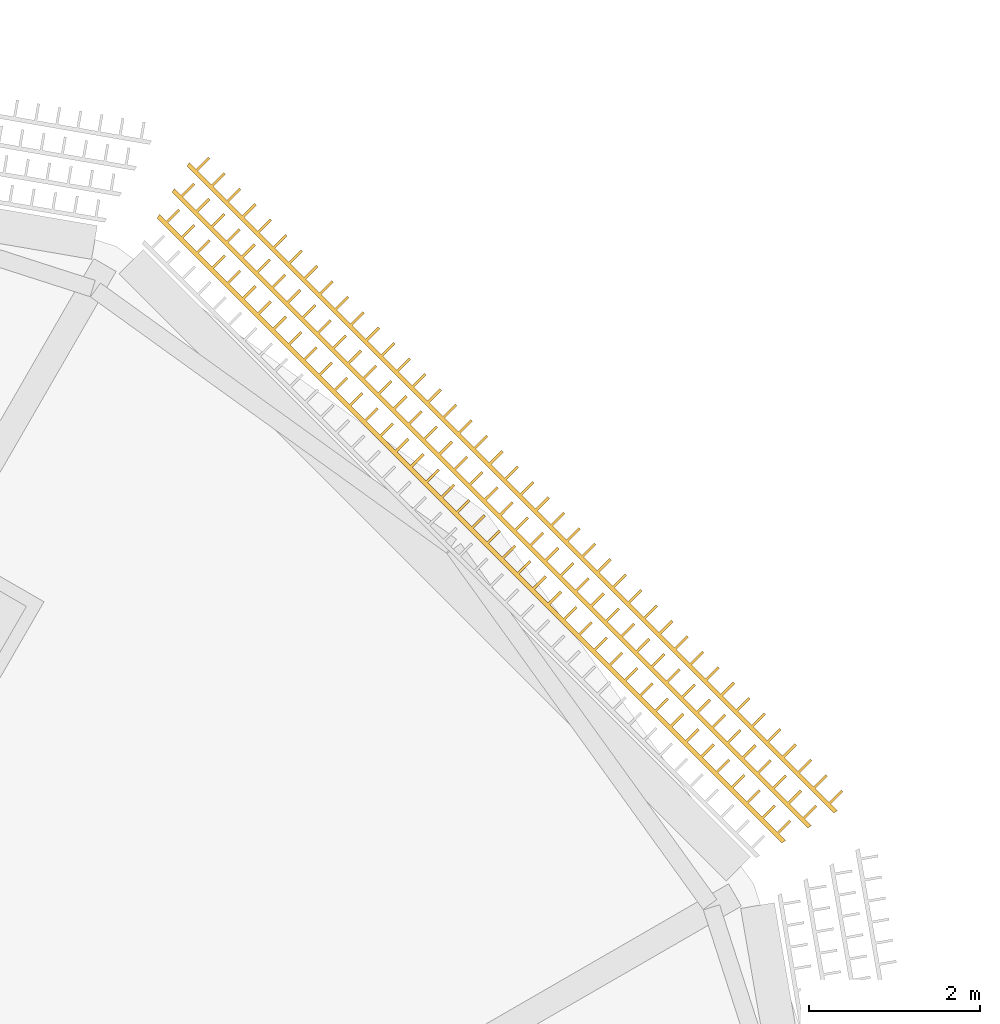
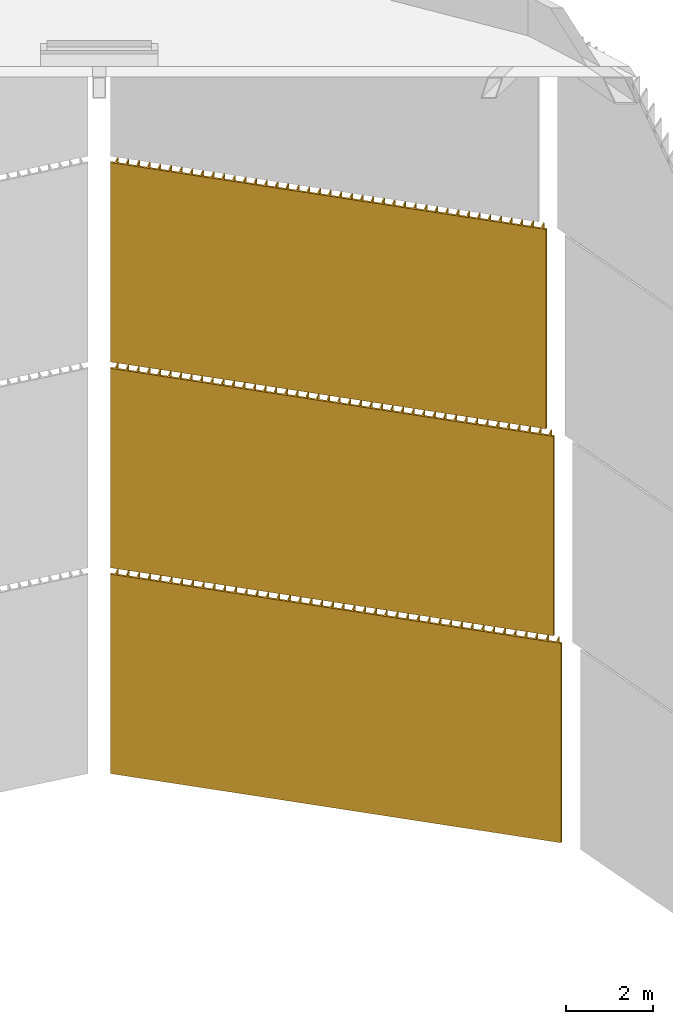
# One storey, part 22 of 24: 3 coverings.
"""IFC4 building model written with IfcOpenShell, lengths in metres."""

from ifc_helpers import new_model, si_unit, direction, frame, origin, place, context, subcontext, project, spatial, polyline, outline, extrude, material, type_object, element, save


model = new_model("IFC4")

# Units and contexts
model_context = context("Model", 3, precision=1e-05, world=origin(), true_north=direction((0.0, 1.0)))
body_context = subcontext(model_context, "Body", "Model", "MODEL_VIEW")
ifc_project = project(units=[si_unit("LENGTHUNIT", "METRE"), si_unit("AREAUNIT", "SQUARE_METRE"), si_unit("VOLUMEUNIT", "CUBIC_METRE"), si_unit("PLANEANGLEUNIT", "RADIAN"), si_unit("MASSUNIT", "GRAM", prefix="KILO")], contexts=[model_context])

# Site, building, storey
site_placement = place(None, origin())
site = spatial("IfcSite", under=ifc_project, at=site_placement, CompositionType="ELEMENT")
building_placement = place(site_placement, origin())
building = spatial("IfcBuilding", under=site, at=building_placement, Name="Rimbun Link Towers", CompositionType="ELEMENT")
storey_placement = place(building_placement, frame((0.0, 0.0, 294.89990234375)))
storey = spatial("IfcBuildingStorey", under=building, at=storey_placement, Name="Roof cap", CompositionType="ELEMENT", Elevation=294.89990234375)

# Coverings
ifc_material = material(Name="Terracotta", Category="masonry")
covering_type = type_object("IfcCoveringType", Name="TERRACOTTA CLADDING screen fins", PredefinedType="CLADDING", material=ifc_material)
covering_1_placement = place(storey_placement, frame((0.0, 0.0, -23.087890625)))
element("IfcCovering", 1, at=covering_1_placement, inside=storey, type_object=covering_type, Name="TERRACOTTA CLADDING screen", PredefinedType="CLADDING", context=body_context, shape_type="SweptSolid", body=[
    extrude(outline(polyline([(50.36865234375, 11.042724609375), (50.2890625, 11.122314453125), (50.430419921875, 11.263916015625), (50.4091796875, 11.284912109375), (50.267822265625, 11.1435546875), (50.108642578125, 11.302734375), (50.25, 11.444091796875), (50.228759765625, 11.46533203125), (50.08740234375, 11.323974609375), (49.92822265625, 11.483154296875), (50.069580078125, 11.62451171875), (50.048583984375, 11.645751953125), (49.906982421875, 11.50439453125), (49.747802734375, 11.66357421875), (49.889404296875, 11.804931640625), (49.8681640625, 11.826171875), (49.726806640625, 11.684814453125), (49.5673828125, 11.84375), (49.708984375, 11.9853515625), (49.687744140625, 12.006591796875), (49.54638671875, 11.864990234375), (49.38720703125, 12.024169921875), (49.528564453125, 12.16552734375), (49.50732421875, 12.18701171875), (49.365966796875, 12.04541015625), (49.206787109375, 12.20458984375), (49.34814453125, 12.345947265625), (49.326904296875, 12.3671875), (49.185546875, 12.225830078125), (49.0263671875, 12.385009765625), (49.167724609375, 12.5263671875), (49.146484375, 12.547607421875), (49.005126953125, 12.40625), (48.845947265625, 12.565185546875), (48.9873046875, 12.706787109375), (48.96630859375, 12.72802734375), (48.82470703125, 12.586669921875), (48.66552734375, 12.74560546875), (48.806884765625, 12.88720703125), (48.785888671875, 12.908447265625), (48.644287109375, 12.766845703125), (48.485107421875, 12.926025390625), (48.626708984375, 13.0673828125), (48.60546875, 13.088623046875), (48.464111328125, 12.947265625), (48.304931640625, 13.1064453125), (48.4462890625, 13.247802734375), (48.425048828125, 13.26904296875), (48.28369140625, 13.127685546875), (48.12451171875, 13.286865234375), (48.265869140625, 13.42822265625), (48.24462890625, 13.449462890625), (48.103271484375, 13.30810546875), (47.944091796875, 13.46728515625), (48.08544921875, 13.608642578125), (48.064208984375, 13.6298828125), (47.9228515625, 13.48828125), (47.763671875, 13.647705078125), (47.905029296875, 13.7890625), (47.8837890625, 13.810302734375), (47.742431640625, 13.668701171875), (47.583251953125, 13.827880859375), (47.724853515625, 13.969482421875), (47.70361328125, 13.990478515625), (47.56201171875, 13.84912109375), (47.403076171875, 14.00830078125), (47.54443359375, 14.14990234375), (47.523193359375, 14.1708984375), (47.3818359375, 14.029541015625), (47.22265625, 14.188720703125), (47.364013671875, 14.330078125), (47.3427734375, 14.351318359375), (47.201416015625, 14.2099609375), (47.042236328125, 14.369140625), (47.18359375, 14.510498046875), (47.162353515625, 14.53173828125), (47.02099609375, 14.390380859375), (46.86181640625, 14.549560546875), (47.00341796875, 14.69091796875), (46.98193359375, 14.712158203125), (46.840576171875, 14.57080078125), (46.681396484375, 14.72998046875), (46.822998046875, 14.871337890625), (46.8017578125, 14.892578125), (46.66015625, 14.751220703125), (46.501220703125, 14.91015625), (46.642578125, 15.0517578125), (46.621337890625, 15.072998046875), (46.47998046875, 14.931396484375), (46.32080078125, 15.090576171875), (46.462158203125, 15.23193359375), (46.44091796875, 15.25341796875), (46.299560546875, 15.11181640625), (46.140380859375, 15.27099609375), (46.28173828125, 15.412353515625), (46.260498046875, 15.43359375), (46.119140625, 15.292236328125), (45.9599609375, 15.451416015625), (46.101318359375, 15.5927734375), (46.080078125, 15.614013671875), (45.938720703125, 15.47265625), (45.779541015625, 15.6318359375), (45.9208984375, 15.773193359375), (45.89990234375, 15.79443359375), (45.75830078125, 15.653076171875), (45.59912109375, 15.81201171875), (45.740478515625, 15.95361328125), (45.719482421875, 15.974853515625), (45.577880859375, 15.833251953125), (45.418701171875, 15.992431640625), (45.560302734375, 16.1337890625), (45.5390625, 16.155029296875), (45.397705078125, 16.013671875), (45.23828125, 16.1728515625), (45.3798828125, 16.314208984375), (45.358642578125, 16.33544921875), (45.21728515625, 16.194091796875), (45.05810546875, 16.353271484375), (45.199462890625, 16.49462890625), (45.17822265625, 16.515869140625), (45.036865234375, 16.37451171875), (44.877685546875, 16.53369140625), (45.01904296875, 16.675048828125), (44.997802734375, 16.6962890625), (44.8564453125, 16.554931640625), (44.697265625, 16.714111328125), (44.838623046875, 16.85546875), (44.8173828125, 16.876708984375), (44.676025390625, 16.735107421875), (44.516845703125, 16.894287109375), (44.658447265625, 17.035888671875), (44.63720703125, 17.056884765625), (44.49560546875, 16.91552734375), (44.336669921875, 17.07470703125), (44.47802734375, 17.21630859375), (44.456787109375, 17.2373046875), (44.315185546875, 17.095947265625), (44.15625, 17.255126953125), (44.297607421875, 17.396484375), (44.2763671875, 17.417724609375), (44.135009765625, 17.2763671875), (43.975830078125, 17.435546875), (44.1171875, 17.576904296875), (44.095947265625, 17.59814453125), (43.95458984375, 17.456787109375), (43.79541015625, 17.615966796875), (43.93701171875, 17.75732421875), (43.91552734375, 17.778564453125), (43.774169921875, 17.63720703125), (43.614990234375, 17.79638671875), (43.756591796875, 17.937744140625), (43.7353515625, 17.958984375), (43.59375, 17.8173828125), (43.434814453125, 17.976806640625), (43.576171875, 18.1181640625), (43.554931640625, 18.139404296875), (43.41357421875, 17.997802734375), (43.25439453125, 18.156982421875), (43.395751953125, 18.298583984375), (43.37451171875, 18.319580078125), (43.233154296875, 18.17822265625), (43.073974609375, 18.33740234375), (43.21533203125, 18.478759765625), (43.194091796875, 18.5), (43.052734375, 18.358642578125), (42.8935546875, 18.517822265625), (43.034912109375, 18.6591796875), (43.013916015625, 18.680419921875), (42.872314453125, 18.5390625), (42.792724609375, 18.61865234375), (42.766845703125, 18.57373046875), (50.32373046875, 11.016845703125), (50.36865234375, 11.042724609375)])), origin(), (0.0, 0.0, 1.0), 5.575927734375),
])
covering_2_placement = place(storey_placement, frame((0.0, 0.0, -17.087890625)))
element("IfcCovering", 2, at=covering_2_placement, inside=storey, type_object=covering_type, Name="TERRACOTTA CLADDING screen", PredefinedType="CLADDING", context=body_context, shape_type="SweptSolid", body=[
    extrude(outline(polyline([(50.0654296875, 10.867919921875), (49.9873046875, 10.94580078125), (50.12890625, 11.087158203125), (50.107666015625, 11.1083984375), (49.96630859375, 10.967041015625), (49.81005859375, 11.123046875), (49.951416015625, 11.2646484375), (49.930419921875, 11.285888671875), (49.788818359375, 11.144287109375), (49.6328125, 11.300537109375), (49.774169921875, 11.44189453125), (49.7529296875, 11.463134765625), (49.611572265625, 11.32177734375), (49.455322265625, 11.477783203125), (49.596923828125, 11.619140625), (49.57568359375, 11.640380859375), (49.43408203125, 11.4990234375), (49.278076171875, 11.655029296875), (49.41943359375, 11.79638671875), (49.398193359375, 11.81787109375), (49.2568359375, 11.67626953125), (49.100830078125, 11.83251953125), (49.2421875, 11.973876953125), (49.220947265625, 11.9951171875), (49.07958984375, 11.853759765625), (48.923583984375, 12.009765625), (49.06494140625, 12.151123046875), (49.043701171875, 12.17236328125), (48.902099609375, 12.031005859375), (48.74609375, 12.18701171875), (48.8876953125, 12.32861328125), (48.8662109375, 12.349609375), (48.724853515625, 12.208251953125), (48.56884765625, 12.364501953125), (48.710205078125, 12.505859375), (48.68896484375, 12.527099609375), (48.547607421875, 12.385498046875), (48.3916015625, 12.541748046875), (48.532958984375, 12.68310546875), (48.51171875, 12.704345703125), (48.370361328125, 12.56298828125), (48.214111328125, 12.718994140625), (48.355712890625, 12.860595703125), (48.33447265625, 12.881591796875), (48.19287109375, 12.740234375), (48.036865234375, 12.896484375), (48.17822265625, 13.037841796875), (48.156982421875, 13.05908203125), (48.015625, 12.91748046875), (47.859619140625, 13.07373046875), (48.0009765625, 13.215087890625), (47.979736328125, 13.236328125), (47.83837890625, 13.094970703125), (47.68212890625, 13.251220703125), (47.823486328125, 13.392578125), (47.802490234375, 13.413818359375), (47.660888671875, 13.272216796875), (47.5048828125, 13.428466796875), (47.646240234375, 13.56982421875), (47.625, 13.591064453125), (47.483642578125, 13.44970703125), (47.327392578125, 13.605712890625), (47.468994140625, 13.7470703125), (47.44775390625, 13.768310546875), (47.306396484375, 13.626953125), (47.150146484375, 13.782958984375), (47.29150390625, 13.924560546875), (47.2705078125, 13.94580078125), (47.12890625, 13.80419921875), (46.972900390625, 13.96044921875), (47.1142578125, 14.101806640625), (47.093017578125, 14.123046875), (46.95166015625, 13.981689453125), (46.79541015625, 14.1376953125), (46.93701171875, 14.279052734375), (46.915771484375, 14.30029296875), (46.7744140625, 14.158935546875), (46.6181640625, 14.31494140625), (46.759521484375, 14.456298828125), (46.73828125, 14.477783203125), (46.596923828125, 14.336181640625), (46.44091796875, 14.4921875), (46.582275390625, 14.6337890625), (46.56103515625, 14.655029296875), (46.419677734375, 14.513671875), (46.263671875, 14.669677734375), (46.405029296875, 14.81103515625), (46.3837890625, 14.832275390625), (46.2421875, 14.69091796875), (46.086181640625, 14.846923828125), (46.227783203125, 14.98828125), (46.206298828125, 15.009521484375), (46.06494140625, 14.8681640625), (45.908935546875, 15.0244140625), (46.05029296875, 15.165771484375), (46.029052734375, 15.18701171875), (45.8876953125, 15.04541015625), (45.731689453125, 15.20166015625), (45.873046875, 15.343017578125), (45.851806640625, 15.3642578125), (45.71044921875, 15.222900390625), (45.55419921875, 15.37890625), (45.69580078125, 15.5205078125), (45.674560546875, 15.54150390625), (45.532958984375, 15.400146484375), (45.376953125, 15.556396484375), (45.518310546875, 15.69775390625), (45.4970703125, 15.718994140625), (45.355712890625, 15.577392578125), (45.19970703125, 15.733642578125), (45.341064453125, 15.875), (45.31982421875, 15.896240234375), (45.178466796875, 15.7548828125), (45.022216796875, 15.910888671875), (45.163818359375, 16.052490234375), (45.142578125, 16.073486328125), (45.001220703125, 15.93212890625), (44.844970703125, 16.08837890625), (44.986328125, 16.229736328125), (44.965087890625, 16.2509765625), (44.82373046875, 16.109619140625), (44.66748046875, 16.265625), (44.80908203125, 16.406982421875), (44.787841796875, 16.42822265625), (44.646484375, 16.286865234375), (44.490234375, 16.44287109375), (44.631591796875, 16.58447265625), (44.610595703125, 16.605712890625), (44.468994140625, 16.464111328125), (44.31298828125, 16.620361328125), (44.454345703125, 16.76171875), (44.43310546875, 16.782958984375), (44.291748046875, 16.6416015625), (44.135498046875, 16.797607421875), (44.277099609375, 16.93896484375), (44.255859375, 16.960205078125), (44.114501953125, 16.81884765625), (43.958251953125, 16.974853515625), (44.099609375, 17.1162109375), (44.07861328125, 17.1376953125), (43.93701171875, 16.99609375), (43.781005859375, 17.152099609375), (43.92236328125, 17.293701171875), (43.901123046875, 17.31494140625), (43.759765625, 17.173583984375), (43.603759765625, 17.32958984375), (43.7451171875, 17.470947265625), (43.723876953125, 17.4921875), (43.58251953125, 17.350830078125), (43.42626953125, 17.5068359375), (43.56787109375, 17.648193359375), (43.54638671875, 17.66943359375), (43.405029296875, 17.528076171875), (43.2490234375, 17.68408203125), (43.390380859375, 17.82568359375), (43.369140625, 17.846923828125), (43.227783203125, 17.705322265625), (43.07177734375, 17.861572265625), (43.213134765625, 18.0029296875), (43.19189453125, 18.024169921875), (43.050537109375, 17.8828125), (42.894287109375, 18.038818359375), (43.035888671875, 18.180419921875), (43.0146484375, 18.201416015625), (42.873046875, 18.06005859375), (42.717041015625, 18.21630859375), (42.8583984375, 18.357666015625), (42.837158203125, 18.37890625), (42.69580078125, 18.2373046875), (42.617919921875, 18.3154296875), (42.591796875, 18.2705078125), (50.0205078125, 10.841796875), (50.0654296875, 10.867919921875)])), origin(), (0.0, 0.0, 1.0), 5.575927734375),
])
covering_3_placement = place(storey_placement, frame((0.0, 0.0, -11.087890625)))
element("IfcCovering", 3, at=covering_3_placement, inside=storey, type_object=covering_type, Name="TERRACOTTA CLADDING screen", PredefinedType="CLADDING", context=body_context, shape_type="SweptSolid", body=[
    extrude(outline(polyline([(49.762451171875, 10.69287109375), (49.68359375, 10.771484375), (49.8251953125, 10.912841796875), (49.803955078125, 10.93408203125), (49.66259765625, 10.79248046875), (49.505126953125, 10.949951171875), (49.646484375, 11.09130859375), (49.62548828125, 11.112548828125), (49.48388671875, 10.97119140625), (49.32666015625, 11.12841796875), (49.468017578125, 11.27001953125), (49.447021484375, 11.291015625), (49.305419921875, 11.149658203125), (49.148193359375, 11.306884765625), (49.28955078125, 11.448486328125), (49.268310546875, 11.469482421875), (49.126953125, 11.328125), (48.969482421875, 11.485595703125), (49.111083984375, 11.626953125), (49.08984375, 11.648193359375), (48.948486328125, 11.506591796875), (48.791015625, 11.6640625), (48.9326171875, 11.805419921875), (48.911376953125, 11.82666015625), (48.77001953125, 11.685302734375), (48.612548828125, 11.842529296875), (48.75390625, 11.98388671875), (48.73291015625, 12.005126953125), (48.59130859375, 11.86376953125), (48.43408203125, 12.02099609375), (48.575439453125, 12.16259765625), (48.55419921875, 12.18359375), (48.412841796875, 12.042236328125), (48.255615234375, 12.19970703125), (48.39697265625, 12.341064453125), (48.375732421875, 12.3623046875), (48.234375, 12.220703125), (48.076904296875, 12.378173828125), (48.218505859375, 12.51953125), (48.197265625, 12.540771484375), (48.055908203125, 12.3994140625), (47.8984375, 12.556640625), (48.039794921875, 12.697998046875), (48.018798828125, 12.71923828125), (47.877197265625, 12.577880859375), (47.719970703125, 12.735107421875), (47.861328125, 12.876708984375), (47.840087890625, 12.897705078125), (47.69873046875, 12.75634765625), (47.54150390625, 12.913818359375), (47.682861328125, 13.05517578125), (47.66162109375, 13.076416015625), (47.520263671875, 12.93505859375), (47.36279296875, 13.09228515625), (47.50439453125, 13.233642578125), (47.483154296875, 13.2548828125), (47.341796875, 13.113525390625), (47.184326171875, 13.270751953125), (47.32568359375, 13.412109375), (47.304443359375, 13.433349609375), (47.1630859375, 13.2919921875), (47.005859375, 13.44921875), (47.147216796875, 13.5908203125), (47.1259765625, 13.612060546875), (46.984619140625, 13.470458984375), (46.827392578125, 13.627685546875), (46.96875, 13.769287109375), (46.947509765625, 13.79052734375), (46.80615234375, 13.649169921875), (46.648681640625, 13.806396484375), (46.790283203125, 13.94775390625), (46.76904296875, 13.968994140625), (46.62744140625, 13.82763671875), (46.47021484375, 13.98486328125), (46.611572265625, 14.126220703125), (46.59033203125, 14.1474609375), (46.448974609375, 14.006103515625), (46.291748046875, 14.163330078125), (46.43310546875, 14.304931640625), (46.411865234375, 14.326171875), (46.2705078125, 14.1845703125), (46.11328125, 14.342041015625), (46.254638671875, 14.4833984375), (46.2333984375, 14.504638671875), (46.092041015625, 14.36328125), (45.9345703125, 14.5205078125), (46.076171875, 14.661865234375), (46.054931640625, 14.68310546875), (45.913330078125, 14.541748046875), (45.756103515625, 14.698974609375), (45.8974609375, 14.84033203125), (45.876220703125, 14.861572265625), (45.73486328125, 14.72021484375), (45.57763671875, 14.87744140625), (45.718994140625, 15.01904296875), (45.69775390625, 15.040283203125), (45.556396484375, 14.898681640625), (45.399169921875, 15.05615234375), (45.54052734375, 15.197509765625), (45.519287109375, 15.21875), (45.377685546875, 15.077392578125), (45.220458984375, 15.234619140625), (45.362060546875, 15.3759765625), (45.3408203125, 15.397216796875), (45.19921875, 15.255859375), (45.0419921875, 15.4130859375), (45.183349609375, 15.554443359375), (45.162109375, 15.57568359375), (45.020751953125, 15.434326171875), (44.863525390625, 15.591796875), (45.0048828125, 15.733154296875), (44.983642578125, 15.75439453125), (44.84228515625, 15.61279296875), (44.68505859375, 15.770263671875), (44.826416015625, 15.91162109375), (44.80517578125, 15.932861328125), (44.663818359375, 15.79150390625), (44.50634765625, 15.94873046875), (44.647705078125, 16.090087890625), (44.626708984375, 16.111328125), (44.485107421875, 15.969970703125), (44.327880859375, 16.127197265625), (44.46923828125, 16.268798828125), (44.447998046875, 16.289794921875), (44.306640625, 16.1484375), (44.1494140625, 16.305908203125), (44.290771484375, 16.447265625), (44.26953125, 16.468505859375), (44.128173828125, 16.326904296875), (43.970703125, 16.484375), (44.1123046875, 16.625732421875), (44.091064453125, 16.64697265625), (43.94970703125, 16.505615234375), (43.792236328125, 16.662841796875), (43.93359375, 16.80419921875), (43.91259765625, 16.825439453125), (43.77099609375, 16.68408203125), (43.61376953125, 16.84130859375), (43.755126953125, 16.98291015625), (43.73388671875, 17.00390625), (43.592529296875, 16.862548828125), (43.435302734375, 17.02001953125), (43.57666015625, 17.161376953125), (43.555419921875, 17.1826171875), (43.4140625, 17.041015625), (43.256591796875, 17.198486328125), (43.398193359375, 17.33984375), (43.376953125, 17.361083984375), (43.235595703125, 17.219482421875), (43.078125, 17.376953125), (43.219482421875, 17.518310546875), (43.198486328125, 17.53955078125), (43.056884765625, 17.398193359375), (42.899658203125, 17.555419921875), (43.041015625, 17.697021484375), (43.02001953125, 17.718017578125), (42.87841796875, 17.57666015625), (42.72119140625, 17.73388671875), (42.862548828125, 17.87548828125), (42.84130859375, 17.896484375), (42.699951171875, 17.755126953125), (42.54248046875, 17.91259765625), (42.68408203125, 18.053955078125), (42.662841796875, 18.0751953125), (42.521484375, 17.93359375), (42.44287109375, 18.012451171875), (42.4169921875, 17.967529296875), (49.717529296875, 10.6669921875), (49.762451171875, 10.69287109375)])), origin(), (0.0, 0.0, 1.0), 5.575927734375),
])

save(model, "model.ifc")
